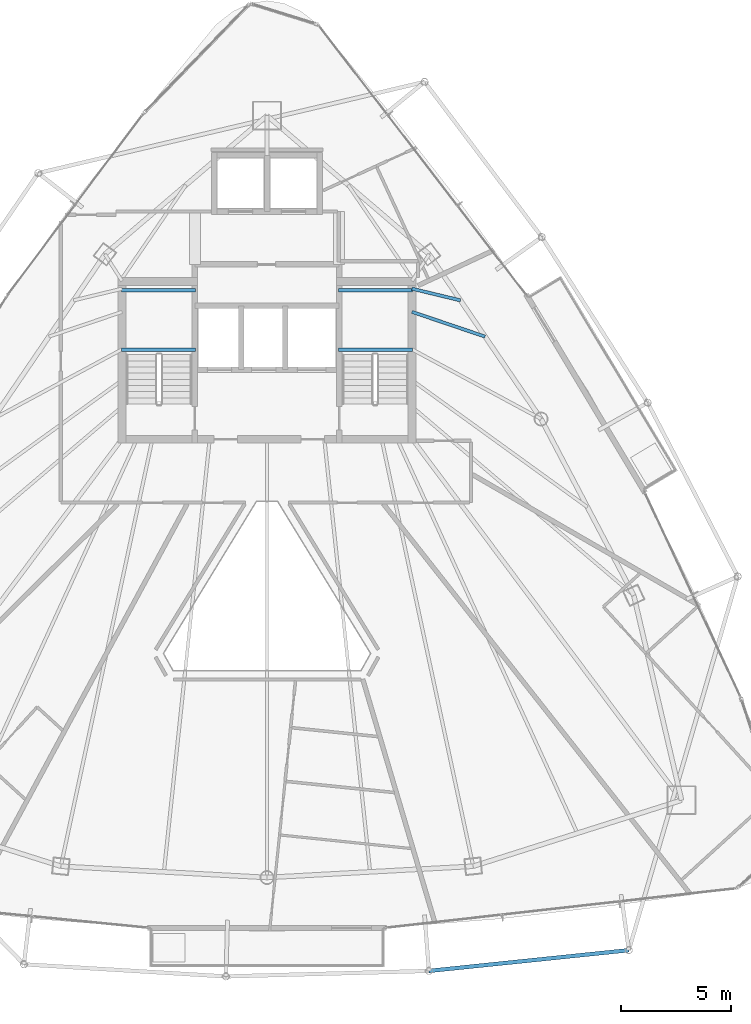
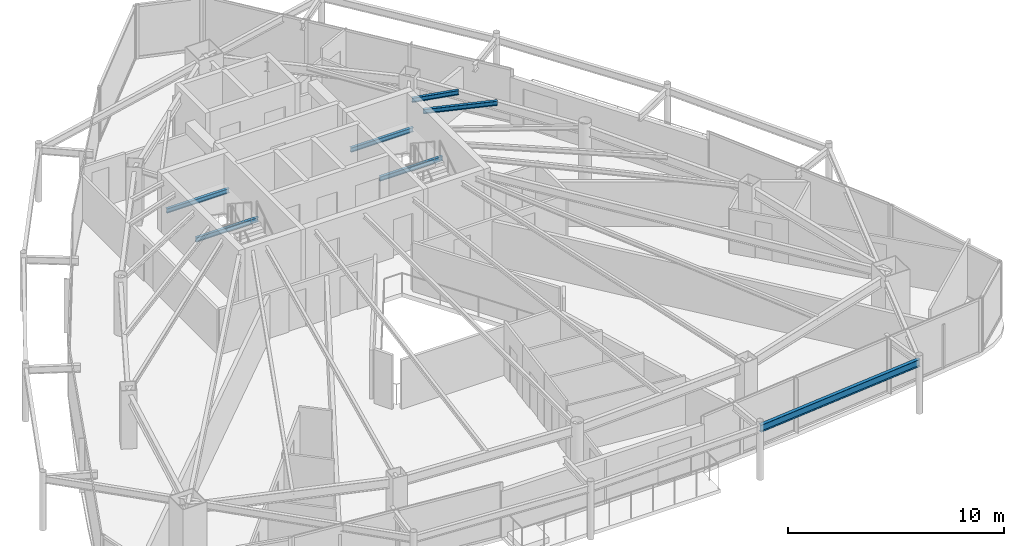
# One storey, part 14 of 34: 7 beams.
"""IFC4 building model written with IfcOpenShell, lengths in metres."""

import ifcopenshell
import ifcopenshell.guid

model = None  # the IFC model being written
_history = None  # IfcOwnerHistory: only IFC2X3 demands one
_inside = {}  # id of a spatial element -> (the spatial element, [elements in it])
_under = {}  # id of a project, library or spatial element -> (it, [spatial elements below it])
_declared = {}  # id of a project -> (the project, [libraries it declares])
_typed = {}  # id of a type object -> (the type object, [elements of that type])
_made_of = {}  # id of a material, layer set ... -> (it, [elements and type objects made of it])


def new_model(schema):
    """Start an empty IFC model of exactly this schema.

    Asked for "IFC4X3", IfcOpenShell would pick the latest addendum, in which some entities
    have other attributes; the version numbers below select the first issue.
    IFC2X3 requires an IfcOwnerHistory on every rooted entity: one is made here for all.
    """
    global model, _history
    if schema == "IFC4X3":
        model = ifcopenshell.file(schema_version=(4, 3, 0, 0))
    else:
        model = ifcopenshell.file(schema=schema)
    _inside.clear()
    _under.clear()
    _declared.clear()
    _typed.clear()
    _made_of.clear()
    _history = None
    if model.schema == "IFC2X3":
        org = make("IfcOrganization", Name="unknown")
        user = make(
            "IfcPersonAndOrganization",
            ThePerson=make("IfcPerson", FamilyName="unknown"),
            TheOrganization=org,
        )
        app = make(
            "IfcApplication",
            ApplicationDeveloper=org,
            Version="unknown",
            ApplicationFullName="unknown",
            ApplicationIdentifier="unknown",
        )
        _history = make(
            "IfcOwnerHistory",
            OwningUser=user,
            OwningApplication=app,
            ChangeAction="ADDED",
            CreationDate=0,
        )
    return model


def make(cls, **values):
    """One entity of the class cls with the attributes given. An attribute that is None is left unset."""
    return model.create_entity(
        cls, **{name: value for name, value in values.items() if value is not None}
    )


def rooted(cls, **values):
    """An entity with a GlobalId (a new one), such as an element, a storey or a relation."""
    return make(cls, GlobalId=ifcopenshell.guid.new(), OwnerHistory=_history, **values)


def si_unit(unit_type, name, prefix=None):
    """IfcSIUnit, for example si_unit("LENGTHUNIT", "METRE", prefix="MILLI")."""
    return make("IfcSIUnit", UnitType=unit_type, Prefix=prefix, Name=name)


def assignment(units):
    """IfcUnitAssignment: the units of a project."""
    return None if units is None else make("IfcUnitAssignment", Units=units)


def point(xyz):
    """IfcCartesianPoint."""
    return None if xyz is None else make("IfcCartesianPoint", Coordinates=xyz)


def direction(xyz):
    """IfcDirection."""
    return None if xyz is None else make("IfcDirection", DirectionRatios=xyz)


def frame(location, z_axis=None, x_axis=None):
    """IfcAxis2Placement3D, a coordinate frame: its origin and axes. An axis left out is left unset."""
    return make(
        "IfcAxis2Placement3D",
        Location=point(location),
        Axis=direction(z_axis),
        RefDirection=direction(x_axis),
    )


def frame_2d(location, x_axis=None):
    """IfcAxis2Placement2D, a coordinate frame in the plane: its origin and x axis."""
    return make(
        "IfcAxis2Placement2D", Location=point(location), RefDirection=direction(x_axis)
    )


def origin():
    """The frame at (0, 0, 0) with its axes left unset."""
    return frame((0.0, 0.0, 0.0))


def origin_2d():
    """The frame at (0, 0) in the plane with its x axis left unset."""
    return frame_2d((0.0, 0.0))


def place(relative_to, where):
    """IfcLocalPlacement: puts the frame where relative to a parent placement (None: the world)."""
    return make(
        "IfcLocalPlacement", PlacementRelTo=relative_to, RelativePlacement=where
    )


def context(
    kind, dimensions, precision=None, world=None, true_north=None, identifier=None
):
    """IfcGeometricRepresentationContext, for example the 3D "Model" context."""
    return make(
        "IfcGeometricRepresentationContext",
        ContextIdentifier=identifier,
        ContextType=kind,
        CoordinateSpaceDimension=dimensions,
        Precision=precision,
        WorldCoordinateSystem=world,
        TrueNorth=true_north,
    )


def subcontext(parent, identifier, kind, view, scale=None):
    """IfcGeometricRepresentationSubContext, for example "Body" below "Model"."""
    return make(
        "IfcGeometricRepresentationSubContext",
        ContextIdentifier=identifier,
        ContextType=kind,
        ParentContext=parent,
        TargetScale=scale,
        TargetView=view,
    )


def project(units=None, contexts=None):
    """IfcProject with its units and contexts."""
    return rooted(
        "IfcProject",
        Name="project",
        RepresentationContexts=contexts,
        UnitsInContext=assignment(units),
    )


def spatial(cls, under=None, at=None, **own):
    """A site, building, storey or space (cls), placed at a placement, below another one or the project."""
    s = rooted(cls, ObjectPlacement=at, **own)
    if under is not None:
        _under.setdefault(under.id(), (under, []))[1].append(s)
    return s


def profile(cls, at=None, kind="AREA", **sizes):
    """A parametric profile (cls). Its sizes go by their IFC names, for example OverallWidth=200.0."""
    return make(cls, ProfileType=kind, Position=at, **sizes)


def i_section(**sizes):
    """IfcIShapeProfileDef."""
    return profile("IfcIShapeProfileDef", **sizes)


def extrude(swept, where, along, depth):
    """IfcExtrudedAreaSolid: the profile swept, set in the frame where, extruded along a direction by depth."""
    return make(
        "IfcExtrudedAreaSolid",
        SweptArea=swept,
        Position=where,
        ExtrudedDirection=direction(along),
        Depth=depth,
    )


def shape(context_of_items, identifier, shape_type, items):
    """IfcShapeRepresentation: the items that make up one representation, for example the "Body"."""
    return make(
        "IfcShapeRepresentation",
        ContextOfItems=context_of_items,
        RepresentationIdentifier=identifier,
        RepresentationType=shape_type,
        Items=items,
    )


def material(Name=None, Category=None):
    """IfcMaterial."""
    return make("IfcMaterial", Name=Name, Category=Category)


def material_profile(
    of_material, cross_section, Name=None, Category=None, Priority=None
):
    """IfcMaterialProfile: a cross section and its material."""
    return make(
        "IfcMaterialProfile",
        Name=Name,
        Material=of_material,
        Profile=cross_section,
        Priority=Priority,
        Category=Category,
    )


def profile_set(profiles, Name=None, composite=None):
    """IfcMaterialProfileSet."""
    return make(
        "IfcMaterialProfileSet",
        Name=Name,
        MaterialProfiles=profiles,
        CompositeProfile=composite,
    )


def made_of(thing, what):
    """Note that an element or type object is made of a material, layer set ...; save() writes the relation."""
    if what is not None:
        _made_of.setdefault(what.id(), (what, []))[1].append(thing)
    return thing


def type_object(cls, material=None, **own):
    """A type object (cls), such as IfcWallType, which elements share."""
    return made_of(rooted(cls, **own), material)


def element(
    cls,
    number,
    at=None,
    inside=None,
    cuts=None,
    type_object=None,
    material=None,
    context=None,
    identifier="Body",
    shape_type=None,
    held_by="IfcProductDefinitionShape",
    body=None,
    shapes=None,
    **own,
):
    """One element of the class cls, such as IfcWall. Its Tag is "e" and its number.

    at: its placement. inside: the storey or other place that contains it. cuts: it is an
    opening in that element (IfcRelVoidsElement). A single representation is given by context,
    identifier, shape_type and body (its items); several are given by shapes. held_by: the class
    of the entity that holds the representations. save() writes the other relations.
    """
    e = rooted(cls, Tag="e%d" % number, ObjectPlacement=at, **own)
    if body is not None:
        shapes = [shape(context, identifier, shape_type, body)]
    if shapes is not None:
        e.Representation = make(held_by, Representations=shapes)
    if inside is not None:
        _inside.setdefault(inside.id(), (inside, []))[1].append(e)
    if cuts is not None:
        rooted(
            "IfcRelVoidsElement", RelatingBuildingElement=cuts, RelatedOpeningElement=e
        )
    if type_object is not None:
        _typed.setdefault(type_object.id(), (type_object, []))[1].append(e)
    return made_of(e, material)


def aggregate(whole, parts):
    """IfcRelAggregates: a whole, such as a stair, and the parts it consists of."""
    return rooted("IfcRelAggregates", RelatingObject=whole, RelatedObjects=parts)


def save(model, path):
    """Write the relations noted so far, then the file.

    IfcRelAggregates (storeys below a building ...), IfcRelContainedInSpatialStructure (elements
    in a storey), IfcRelDefinesByType, IfcRelAssociatesMaterial and IfcRelDeclares: one each for
    every whole, place, type object, material and project.
    """
    for whole, parts in _under.values():
        aggregate(whole, parts)
    for where, things in _inside.values():
        rooted(
            "IfcRelContainedInSpatialStructure",
            RelatedElements=things,
            RelatingStructure=where,
        )
    for kind, things in _typed.values():
        rooted("IfcRelDefinesByType", RelatedObjects=things, RelatingType=kind)
    for what, things in _made_of.values():
        rooted("IfcRelAssociatesMaterial", RelatedObjects=things, RelatingMaterial=what)
    for by, libraries in _declared.values():
        rooted("IfcRelDeclares", RelatingContext=by, RelatedDefinitions=libraries)
    model.write(path)


model = new_model("IFC4")

# Units and contexts
model_context = context("Model", 3, precision=1e-05, world=origin(), true_north=direction((0.0, 1.0)))
body_context = subcontext(model_context, "Body", "Model", "MODEL_VIEW")
ifc_project = project(units=[si_unit("LENGTHUNIT", "METRE"), si_unit("AREAUNIT", "SQUARE_METRE"), si_unit("VOLUMEUNIT", "CUBIC_METRE"), si_unit("PLANEANGLEUNIT", "RADIAN"), si_unit("MASSUNIT", "GRAM", prefix="KILO")], contexts=[model_context])

# Site, building, storey
site_placement = place(None, origin())
site = spatial("IfcSite", under=ifc_project, at=site_placement, CompositionType="ELEMENT")
building_placement = place(site_placement, origin())
building = spatial("IfcBuilding", under=site, at=building_placement, Name="Orvanel Arch Residences", CompositionType="ELEMENT")
storey_placement = place(building_placement, frame((0.0, 0.0, 199.699951171875)))
storey = spatial("IfcBuildingStorey", under=building, at=storey_placement, Name="L56", CompositionType="ELEMENT", Elevation=199.699951171875)

# Beams
ifc_material = material(Name="Structural steel AS/NZS 3679.1 Grade 300 (300 MPa)", Category="steel")
ifc_material_profile_1 = material_profile(ifc_material, i_section(OverallWidth=0.14599609375, OverallDepth=0.251953125, WebThickness=0.006103515625, FlangeThickness=0.008544921875, at=origin_2d()), Name="250UB31.4")
ifc_profile_set_1 = profile_set([ifc_material_profile_1], Name="Structural steel AS/NZS 3679.1 Grade 300 (300 MPa)")
beam_type_1 = type_object("IfcBeamType", Name="BJ-250UB", PredefinedType="JOIST", material=ifc_profile_set_1)
for number, where, z_axis, x_axis, name in (
    (1, (26.39990234375, 30.780029296875, 1.323974609375), (1.0, 0.0, 0.0), (0.0, 1.0, 0.0), "L56 ST-1 Half-Landing Support Beam 1.1"),
    (2, (26.39990234375, 33.47998046875, 1.323974609375), (1.0, 0.0, 0.0), (0.0, 1.0, 0.0), "L56 ST-1 Half-Landing Support Beam 1.2"),
    (3, (36.25, 30.780029296875, 1.323974609375), (1.0, 0.0, 0.0), (0.0, 1.0, 0.0), "L56 ST-2 Half-Landing Support Beam 1.1"),
    (4, (36.25, 33.47998046875, 1.323974609375), (1.0, 0.0, 0.0), (0.0, 1.0, 0.0), "L56 ST-2 Half-Landing Support Beam 1.2"),
):
    element("IfcBeam", number, at=place(storey_placement, frame(where, z_axis=z_axis, x_axis=x_axis)), inside=storey, type_object=beam_type_1, Name=name, PredefinedType="JOIST", context=body_context, shape_type="SweptSolid", body=[
        extrude(i_section(OverallWidth=0.14599609375, OverallDepth=0.251953125, WebThickness=0.006103515625, FlangeThickness=0.008544921875, at=origin_2d()), origin(), (0.0, 0.0, 1.0), 3.35009765625),
    ])
beam_1_placement = place(storey_placement, frame((39.574951171875, 32.5, 2.93408203125), z_axis=(0.947159269453, -0.320763648641, 0.0), x_axis=(0.320763648641, 0.947159269453, 0.0)))
element("IfcBeam", 5, at=beam_1_placement, inside=storey, type_object=beam_type_1, Name="L56 ENE Wing Floor Joist", PredefinedType="JOIST", context=body_context, shape_type="SweptSolid", body=[
    extrude(i_section(OverallWidth=0.14599609375, OverallDepth=0.251953125, WebThickness=0.006103515625, FlangeThickness=0.008544921875, at=origin_2d()), origin(), (0.0, 0.0, 1.0), 3.501220703125),
])
beam_2_placement = place(storey_placement, frame((39.574951171875, 33.550048828125, 2.93408203125), z_axis=(0.972256833016, -0.23391590509, 0.0), x_axis=(0.23391590509, 0.972256833016, 0.0)))
element("IfcBeam", 6, at=beam_2_placement, inside=storey, type_object=beam_type_1, Name="L56 JADD4 Wing Floor Joist", PredefinedType="JOIST", context=body_context, shape_type="SweptSolid", body=[
    extrude(i_section(OverallWidth=0.14599609375, OverallDepth=0.251953125, WebThickness=0.006103515625, FlangeThickness=0.008544921875, at=origin_2d()), origin(), (0.0, 0.0, 1.0), 2.26171875),
])
ifc_material_profile_2 = material_profile(ifc_material, i_section(OverallWidth=0.177978515625, OverallDepth=0.406005859375, WebThickness=0.0078125, FlangeThickness=0.0126953125, at=origin_2d()), Name="410UB59.7")
ifc_profile_set_2 = profile_set([ifc_material_profile_2], Name="Structural steel AS/NZS 3679.1 Grade 300 (300 MPa)")
beam_type_2 = type_object("IfcBeamType", Name="OB-410UB-EXT", PredefinedType="SPANDREL", material=ifc_profile_set_2)
beam_3_placement = place(storey_placement, frame((40.343994140625, 2.60791015625, 2.85693359375), z_axis=(0.99467769965, 0.103035303747, 0.0), x_axis=(-0.103035303747, 0.99467769965, 0.0)))
element("IfcBeam", 7, at=beam_3_placement, inside=storey, type_object=beam_type_2, Name="L56 Outer Perimeter Floor Ring Beam 07", PredefinedType="SPANDREL", context=body_context, shape_type="SweptSolid", body=[
    extrude(i_section(OverallWidth=0.177978515625, OverallDepth=0.406005859375, WebThickness=0.0078125, FlangeThickness=0.0126953125, at=origin_2d()), origin(), (0.0, 0.0, 1.0), 9.115478515625),
])

save(model, "model.ifc")
